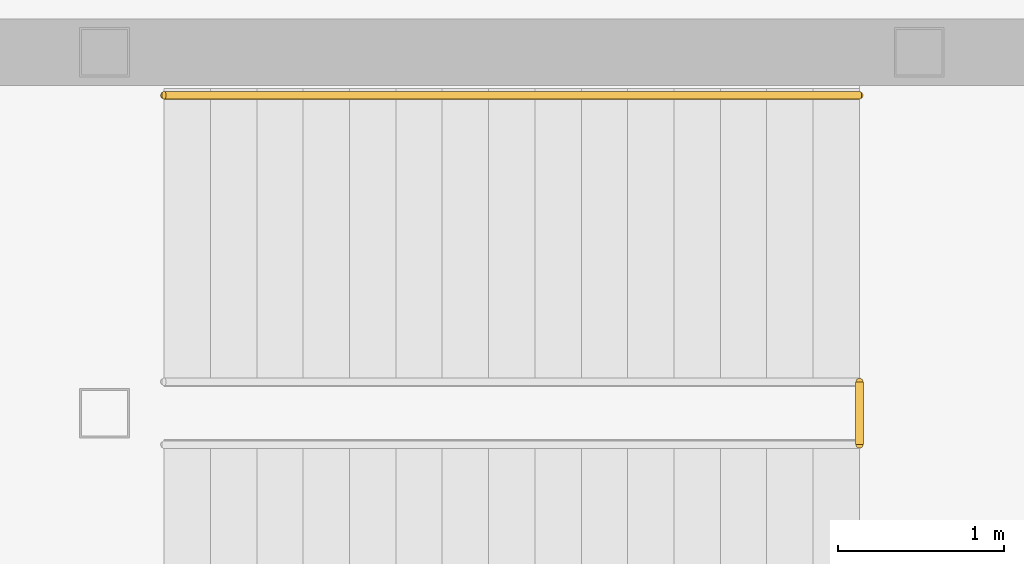
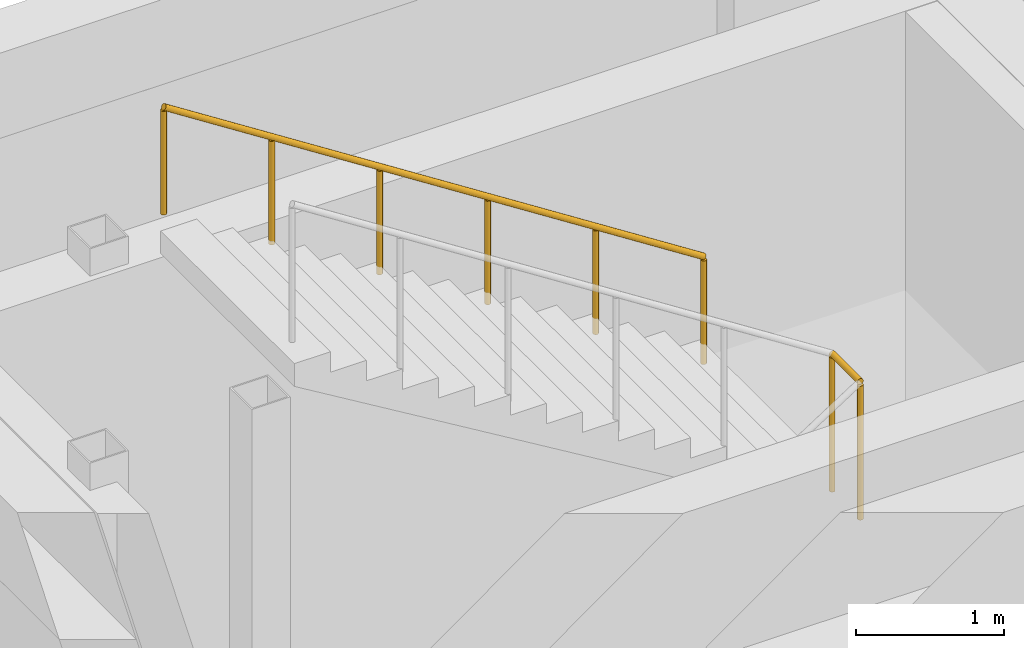
# One storey, part 54 of 56: 2 railings.
"""IFC4 building model written with IfcOpenShell, lengths in metres."""

from ifc_helpers import new_model, si_unit, direction, frame, origin, origin_2d, place, context, subcontext, project, spatial, circle, extrude, material, layer, layer_set, type_object, element, save


model = new_model("IFC4")

# Units and contexts
model_context = context("Model", 3, precision=1e-05, world=origin(), true_north=direction((0.0, 1.0)))
body_context = subcontext(model_context, "Body", "Model", "MODEL_VIEW")
ifc_project = project(units=[si_unit("LENGTHUNIT", "METRE"), si_unit("AREAUNIT", "SQUARE_METRE"), si_unit("VOLUMEUNIT", "CUBIC_METRE"), si_unit("PLANEANGLEUNIT", "RADIAN"), si_unit("MASSUNIT", "GRAM", prefix="KILO")], contexts=[model_context])

# Site, building, storey
site_placement = place(None, origin())
site = spatial("IfcSite", under=ifc_project, at=site_placement, CompositionType="ELEMENT")
building_placement = place(site_placement, origin())
building = spatial("IfcBuilding", under=site, at=building_placement, Name="Naruveol Harbour Congress Hotel", CompositionType="ELEMENT")
storey_placement = place(building_placement, frame((0.0, 0.0, -5.39990234375)))
storey = spatial("IfcBuildingStorey", under=building, at=storey_placement, Name="B01", CompositionType="ELEMENT", Elevation=-5.39990234375)

# Railings
ifc_material_1 = material(Name="Stainless Steel 304", Category="steel")
ifc_layer_1 = layer(ifc_material_1, 0.0419921875)
ifc_layer_set_1 = layer_set([ifc_layer_1], Name="Stainless Steel 304")
railing_type_1 = type_object("IfcRailingType", Name="STAIR WALL MOUNTED HANDRAIL 900", PredefinedType="HANDRAIL", material=ifc_layer_set_1)
railing_1_placement = place(storey_placement, frame((73.5, 109.10009765625, 2.699951171875)))
element("IfcRailing", 1, at=railing_1_placement, inside=storey, type_object=railing_type_1, Name="Stair ST8 B01 upper wall handrail", PredefinedType="HANDRAIL", context=body_context, shape_type="SweptSolid", body=[
    extrude(circle(Radius=0.02392578125, at=origin_2d()), frame((0.0, 0.0, 0.8759765625), z_axis=(-0.841180064094, 0.0, 0.540755119968), x_axis=(0.0, -1.0, 0.0)), (0.0, 0.0, 1.0), 4.992919921875),
    extrude(circle(Radius=0.02099609375, at=origin_2d()), origin(), (0.0, 0.0, 1.0), 0.851806640625),
    extrude(circle(Radius=0.02099609375, at=origin_2d()), frame((-0.840087890625, 0.0, 0.5400390625)), (0.0, 0.0, 1.0), 0.851806640625),
    extrude(circle(Radius=0.02099609375, at=origin_2d()), frame((-1.679931640625, 0.0, 1.080078125)), (0.0, 0.0, 1.0), 0.851806640625),
    extrude(circle(Radius=0.02099609375, at=origin_2d()), frame((-2.52001953125, 0.0, 1.619873046875)), (0.0, 0.0, 1.0), 0.851806640625),
    extrude(circle(Radius=0.02099609375, at=origin_2d()), frame((-3.35986328125, 0.0, 2.159912109375)), (0.0, 0.0, 1.0), 0.851806640625),
    extrude(circle(Radius=0.02099609375, at=origin_2d()), frame((-4.199951171875, 0.0, 2.699951171875)), (0.0, 0.0, 1.0), 0.851806640625),
])
ifc_material_2 = material(Name="Steel SN490", Category="steel")
ifc_layer_2 = layer(ifc_material_2, 0.044921875)
ifc_layer_set_2 = layer_set([ifc_layer_2], Name="Steel SN490")
railing_type_2 = type_object("IfcRailingType", Name="STAIRWELL STEEL GUARDRAIL 1150", PredefinedType="GUARDRAIL", material=ifc_layer_set_2)
railing_2_placement = place(storey_placement, frame((73.5, 106.989990234375, 2.699951171875)))
element("IfcRailing", 2, at=railing_2_placement, inside=storey, type_object=railing_type_2, Name="Stair ST8 B01 half-landing slot guard", PredefinedType="GUARDRAIL", context=body_context, shape_type="SweptSolid", body=[
    extrude(circle(Radius=0.02392578125, at=origin_2d()), frame((0.0, 0.0, 1.1259765625), z_axis=(0.0, 1.0, 0.0), x_axis=(-1.0, 0.0, 0.0)), (0.0, 0.0, 1.0), 0.380126953125),
    extrude(circle(Radius=0.02099609375, at=origin_2d()), origin(), (0.0, 0.0, 1.0), 1.101806640625),
    extrude(circle(Radius=0.02099609375, at=origin_2d()), frame((0.0, 0.380126953125, 0.0)), (0.0, 0.0, 1.0), 1.101806640625),
])

save(model, "model.ifc")
